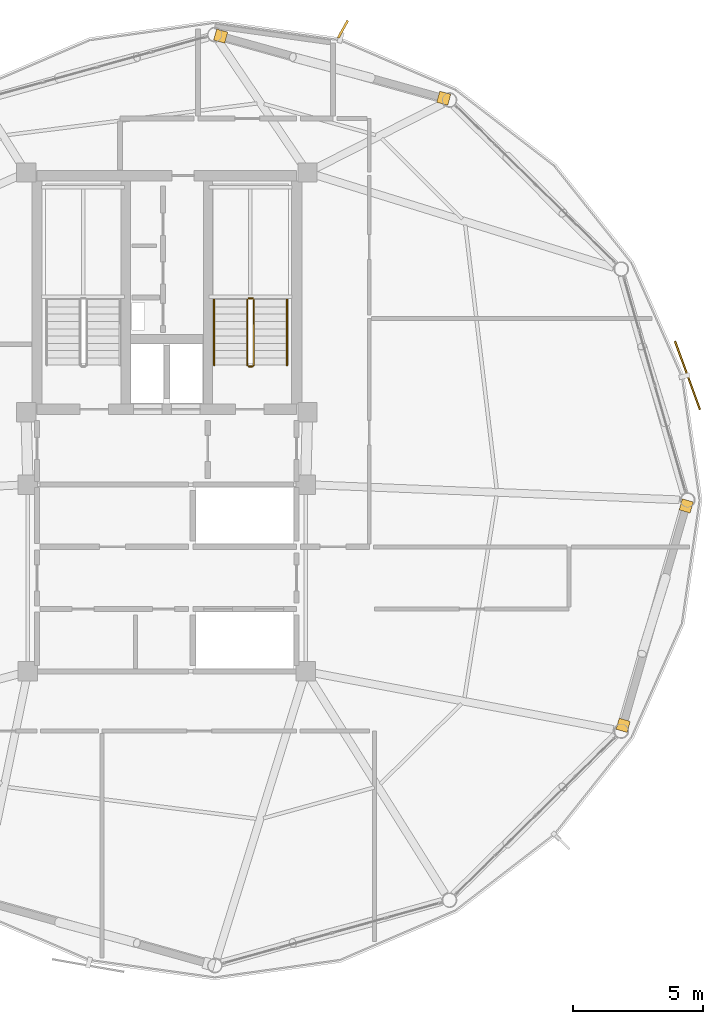
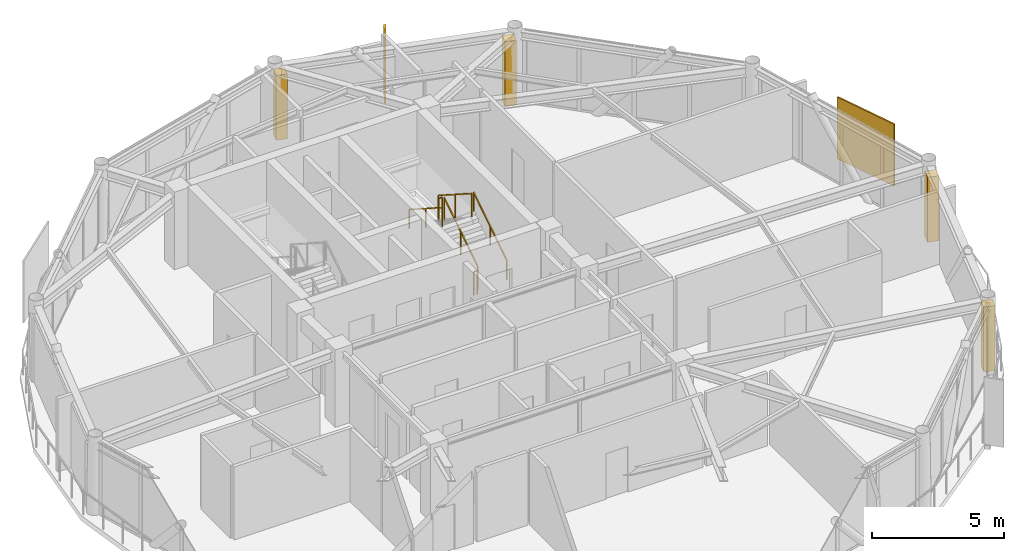
# One storey, part 27 of 27: 6 railings, 4 coverings, 2 shading devices.
"""IFC4 building model written with IfcOpenShell, lengths in metres."""

from ifc_helpers import new_model, si_unit, direction, frame, origin, origin_2d, place, context, subcontext, project, spatial, rectangle, extrude, source, transform, mapped, material, layer, layer_set, type_object, type_shapes, element, save


model = new_model("IFC4")

# Units and contexts
model_context = context("Model", 3, precision=1e-05, world=origin(), true_north=direction((0.0, 1.0)))
body_context = subcontext(model_context, "Body", "Model", "MODEL_VIEW")
ifc_project = project(units=[si_unit("LENGTHUNIT", "METRE"), si_unit("AREAUNIT", "SQUARE_METRE"), si_unit("VOLUMEUNIT", "CUBIC_METRE"), si_unit("PLANEANGLEUNIT", "RADIAN"), si_unit("MASSUNIT", "GRAM", prefix="KILO")], contexts=[model_context])

# Site, building, storey
site_placement = place(None, origin())
site = spatial("IfcSite", under=ifc_project, at=site_placement, CompositionType="ELEMENT")
building_placement = place(site_placement, origin())
building = spatial("IfcBuilding", under=site, at=building_placement, Name="Varnakorn Sky Granary", CompositionType="ELEMENT")
storey_placement = place(building_placement, frame((0.0, 0.0, 263.39990234375)))
storey = spatial("IfcBuildingStorey", under=building, at=storey_placement, Name="L67", CompositionType="ELEMENT", Elevation=263.39990234375)

# Railings
ifc_material_1 = material(Name="Brushed Stainless Steel 316", Category="steel")
railing_type_1 = type_object("IfcRailingType", Name="RL-STAIR-1100", PredefinedType="GUARDRAIL", material=ifc_material_1)
railing_1_placement = place(storey_placement, frame((6.35009765625, 5.199951171875, 0.18017578125)))
element("IfcRailing", 1, at=railing_1_placement, inside=storey, type_object=railing_type_1, Name="L67 ST-2 stair guard 1", PredefinedType="GUARDRAIL", context=body_context, shape_type="SweptSolid", body=[
    extrude(rectangle(XDim=0.048095703125, YDim=0.048095703125, at=origin_2d()), frame((0.0, 0.0, 1.076171875), z_axis=(0.0, 0.841199657755, 0.540724639528), x_axis=(-1.0, 0.0, 0.0)), (0.0, 0.0, 1.0), 2.995849609375),
    extrude(rectangle(XDim=0.0419921875, YDim=0.0419921875, at=origin_2d()), origin(), (0.0, 0.0, 1.0), 1.048095703125),
    extrude(rectangle(XDim=0.0419921875, YDim=0.0419921875, at=origin_2d()), frame((0.0, 1.260009765625, 0.81005859375)), (0.0, 0.0, 1.0), 1.048095703125),
    extrude(rectangle(XDim=0.0419921875, YDim=0.0419921875, at=origin_2d()), frame((0.0, 2.52001953125, 1.619873046875)), (0.0, 0.0, 1.0), 1.048095703125),
])
railing_2_placement = place(storey_placement, frame((6.300048828125, 7.77001953125, 1.800048828125)))
element("IfcRailing", 2, at=railing_2_placement, inside=storey, type_object=railing_type_1, Name="L67 ST-2 stair guard 2", PredefinedType="GUARDRAIL", context=body_context, shape_type="SweptSolid", body=[
    extrude(rectangle(XDim=0.048095703125, YDim=0.048095703125, at=origin_2d()), frame((0.0, 0.0, 1.076171875), z_axis=(-1.0, 0.0, 0.0), x_axis=(0.0, -1.0, 0.0)), (0.0, 0.0, 1.0), 0.150146484375),
    extrude(rectangle(XDim=0.0419921875, YDim=0.0419921875, at=origin_2d()), origin(), (0.0, 0.0, 1.0), 1.048095703125),
    extrude(rectangle(XDim=0.0419921875, YDim=0.0419921875, at=origin_2d()), frame((-0.150146484375, 0.0, 0.0)), (0.0, 0.0, 1.0), 1.048095703125),
])
railing_3_placement = place(storey_placement, frame((6.10009765625, 7.719970703125, 1.97998046875)))
element("IfcRailing", 3, at=railing_3_placement, inside=storey, type_object=railing_type_1, Name="L67 ST-2 stair guard 3", PredefinedType="GUARDRAIL", context=body_context, shape_type="SweptSolid", body=[
    extrude(rectangle(XDim=0.048095703125, YDim=0.048095703125, at=origin_2d()), frame((0.0, 0.0, 1.076171875), z_axis=(0.0, -0.841162588446, 0.540782303519), x_axis=(1.0, 0.0, 0.0)), (0.0, 0.0, 1.0), 2.995849609375),
    extrude(rectangle(XDim=0.0419921875, YDim=0.0419921875, at=origin_2d()), origin(), (0.0, 0.0, 1.0), 1.048095703125),
    extrude(rectangle(XDim=0.0419921875, YDim=0.0419921875, at=origin_2d()), frame((0.0, -1.260009765625, 0.81005859375)), (0.0, 0.0, 1.0), 1.048095703125),
    extrude(rectangle(XDim=0.0419921875, YDim=0.0419921875, at=origin_2d()), frame((0.0, -2.52001953125, 1.6201171875)), (0.0, 0.0, 1.0), 1.048095703125),
])
railing_4_placement = place(storey_placement, frame((6.300048828125, 5.14990234375, 0.0)))
element("IfcRailing", 4, at=railing_4_placement, inside=storey, type_object=railing_type_1, Name="L67 ST-2 stair guard 4", PredefinedType="GUARDRAIL", context=body_context, shape_type="SweptSolid", body=[
    extrude(rectangle(XDim=0.048095703125, YDim=0.048095703125, at=origin_2d()), frame((0.0, 0.0, 1.076171875), z_axis=(-1.0, 0.0, 0.0), x_axis=(0.0, -1.0, 0.0)), (0.0, 0.0, 1.0), 0.150146484375),
    extrude(rectangle(XDim=0.0419921875, YDim=0.0419921875, at=origin_2d()), origin(), (0.0, 0.0, 1.0), 1.048095703125),
    extrude(rectangle(XDim=0.0419921875, YDim=0.0419921875, at=origin_2d()), frame((-0.150146484375, 0.0, 0.0)), (0.0, 0.0, 1.0), 1.048095703125),
])
railing_type_2 = type_object("IfcRailingType", Name="RL-STAIR-920", PredefinedType="HANDRAIL", material=ifc_material_1)
railing_5_placement = place(storey_placement, frame((7.6298828125, 5.199951171875, 0.18017578125)))
element("IfcRailing", 5, at=railing_5_placement, inside=storey, type_object=railing_type_2, Name="L67 ST-2 stair handrail 1", PredefinedType="HANDRAIL", context=body_context, shape_type="SweptSolid", body=[
    extrude(rectangle(XDim=0.048095703125, YDim=0.048095703125, at=origin_2d()), frame((0.0, 0.0, 0.8759765625), z_axis=(0.0, 0.841199657755, 0.540724639528), x_axis=(-1.0, 0.0, 0.0)), (0.0, 0.0, 1.0), 2.995849609375),
    extrude(rectangle(XDim=0.0419921875, YDim=0.0419921875, at=origin_2d()), origin(), (0.0, 0.0, 1.0), 0.847900390625),
    extrude(rectangle(XDim=0.0419921875, YDim=0.0419921875, at=origin_2d()), frame((0.0, 1.260009765625, 0.81005859375)), (0.0, 0.0, 1.0), 0.847900390625),
    extrude(rectangle(XDim=0.0419921875, YDim=0.0419921875, at=origin_2d()), frame((0.0, 2.52001953125, 1.619873046875)), (0.0, 0.0, 1.0), 0.847900390625),
])
railing_6_placement = place(storey_placement, frame((4.820068359375, 7.719970703125, 1.97998046875)))
element("IfcRailing", 6, at=railing_6_placement, inside=storey, type_object=railing_type_2, Name="L67 ST-2 stair handrail 2", PredefinedType="HANDRAIL", context=body_context, shape_type="SweptSolid", body=[
    extrude(rectangle(XDim=0.048095703125, YDim=0.048095703125, at=origin_2d()), frame((0.0, 0.0, 0.8759765625), z_axis=(0.0, -0.841162588446, 0.540782303519), x_axis=(1.0, 0.0, 0.0)), (0.0, 0.0, 1.0), 2.995849609375),
    extrude(rectangle(XDim=0.0419921875, YDim=0.0419921875, at=origin_2d()), origin(), (0.0, 0.0, 1.0), 0.847900390625),
    extrude(rectangle(XDim=0.0419921875, YDim=0.0419921875, at=origin_2d()), frame((0.0, -1.260009765625, 0.81005859375)), (0.0, 0.0, 1.0), 0.847900390625),
    extrude(rectangle(XDim=0.0419921875, YDim=0.0419921875, at=origin_2d()), frame((0.0, -2.52001953125, 1.6201171875)), (0.0, 0.0, 1.0), 0.847900390625),
])

# Coverings
ifc_material_2 = material(Name="Anodised Bronze Aluminium Alloy 6063-T6", Category="aluminium")
ifc_layer = layer(ifc_material_2, 0.050048828125, Name="Anodised Bronze Aluminium Alloy 6063-T6")
ifc_layer_set = layer_set([ifc_layer], Name="Anodised Bronze Aluminium Alloy 6063-T6")
covering_type = type_object("IfcCoveringType", Name="CV-CLAD-50", PredefinedType="CLADDING", material=ifc_layer_set)
shared_shape_1 = source(origin(), body_context, "Body", "SweptSolid", [
    extrude(rectangle(XDim=0.43994140625, YDim=0.43994140625, at=origin_2d()), origin(), (0.0, 0.0, 1.0), 2.989990234375),
])
type_shapes(covering_type, [shared_shape_1])
for number, where, z_axis, x_axis, name in (
    (7, (5.075927734375, 17.8740234375, -0.02001953125), (0.0, 0.0, 1.0), (0.963303240852, -0.268415473035, 0.0), "Bronze Corner Pilaster Closure L67-P03-A"),
    (8, (13.668701171875, 15.47998046875, -0.02001953125), (0.0, 0.0, 1.0), (0.963303240852, -0.268415473035, 0.0), "Bronze Corner Pilaster Closure L67-P03-B"),
    (9, (23.00927734375, -0.225341796875, -0.02001953125), (0.0, 0.0, 1.0), (-0.276308375854, -0.961069030524, 0.0), "Bronze Corner Pilaster Closure L67-P12-A"),
    (10, (20.580322265625, -8.675537109375, -0.02001953125), (0.0, 0.0, 1.0), (-0.276308375854, -0.961069030524, 0.0), "Bronze Corner Pilaster Closure L67-P12-B"),
):
    element("IfcCovering", number, at=place(storey_placement, frame(where, z_axis=z_axis, x_axis=x_axis)), inside=storey, type_object=covering_type, Name=name, PredefinedType="CLADDING", context=body_context, shape_type="MappedRepresentation", body=[
        mapped(shared_shape_1, transform((0.0, 0.0, 0.0), x_axis=(1.0, 0.0, 0.0), y_axis=(0.0, 1.0, 0.0), z_axis=(0.0, 0.0, 1.0), scale=1.0)),
    ])

# Shading devices
shading_device_type_1 = type_object("IfcShadingDeviceType", Name="SH-FIN-03", PredefinedType="USERDEFINED", material=ifc_material_2)
shared_shape_2 = source(origin(), body_context, "Body", "SweptSolid", [
    extrude(rectangle(XDim=0.0849609375, YDim=0.760009765625, at=origin_2d()), origin(), (0.0, 0.0, 1.0), 3.10009765625),
])
type_shapes(shading_device_type_1, [shared_shape_2])
shading_device_1_placement = place(storey_placement, frame((9.787109375, 18.1416015625, -0.0400390625), z_axis=(0.0, 0.0, 1.0), x_axis=(-0.874470710687, 0.485078319605, 0.0)))
element("IfcShadingDevice", 11, at=shading_device_1_placement, inside=storey, type_object=shading_device_type_1, Name="Bronze Solar-Tracking Vertical Blade FIN L67-03", ObjectType="FIN", PredefinedType="USERDEFINED", context=body_context, shape_type="MappedRepresentation", body=[
    mapped(shared_shape_2, transform((0.0, 0.0, 0.0), x_axis=(1.0, 0.0, 0.0), y_axis=(0.0, 1.0, 0.0), z_axis=(0.0, 0.0, 1.0), scale=1.0)),
])
shading_device_type_2 = type_object("IfcShadingDeviceType", Name="SH-SCR-03", PredefinedType="USERDEFINED", material=ifc_material_2)
shared_shape_3 = source(origin(), body_context, "Body", "SweptSolid", [
    extrude(rectangle(XDim=2.800048828125, YDim=0.06494140625, at=origin_2d()), origin(), (0.0, 0.0, 1.0), 2.85009765625),
])
type_shapes(shading_device_type_2, [shared_shape_3])
shading_device_2_placement = place(storey_placement, frame((23.056884765625, 4.80322265625, -0.0400390625), z_axis=(0.0, 0.0, 1.0), x_axis=(-0.3424944467, 0.939519852893, 0.0)))
element("IfcShadingDevice", 12, at=shading_device_2_placement, inside=storey, type_object=shading_device_type_2, Name="Perforated Bronze Solar Screen Panel SCREEN L67-01", ObjectType="SCREEN", PredefinedType="USERDEFINED", context=body_context, shape_type="MappedRepresentation", body=[
    mapped(shared_shape_3, transform((0.0, 0.0, 0.0), x_axis=(1.0, 0.0, 0.0), y_axis=(0.0, 1.0, 0.0), z_axis=(0.0, 0.0, 1.0), scale=1.0)),
])

save(model, "model.ifc")
